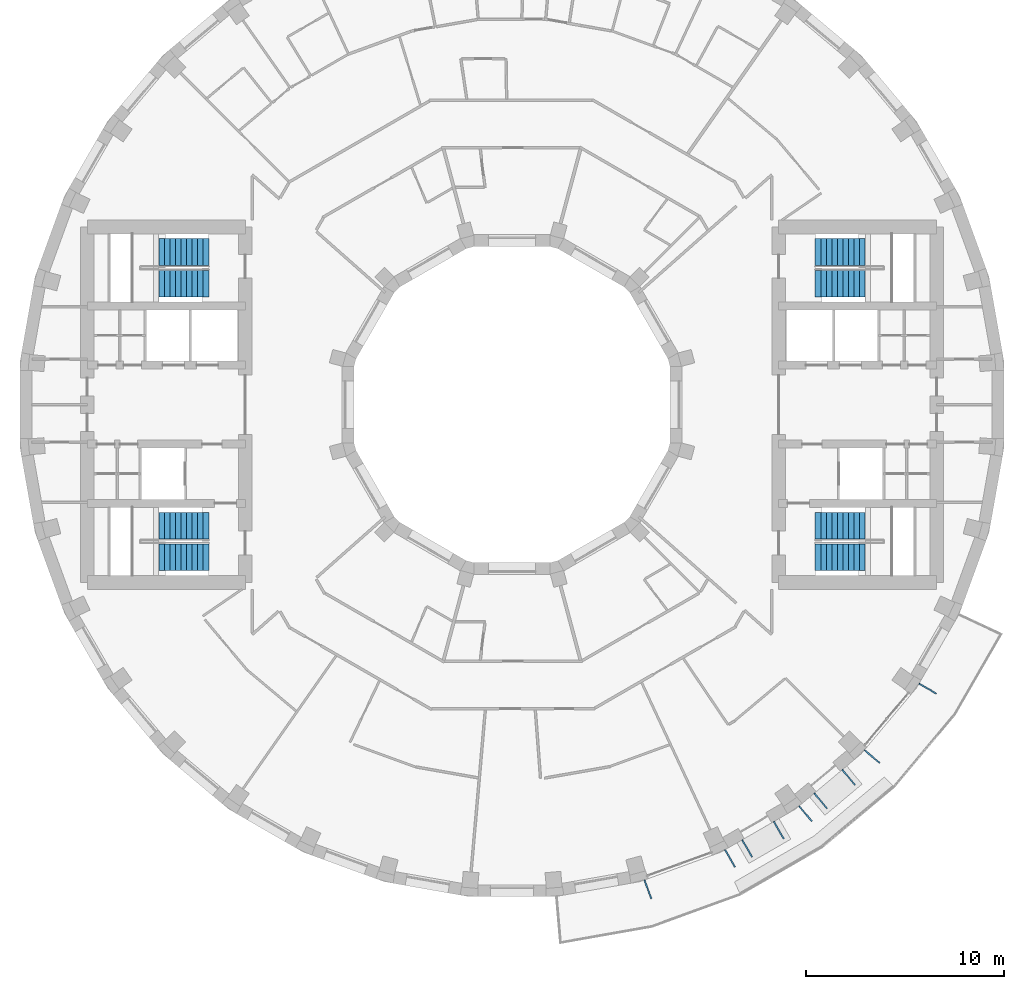
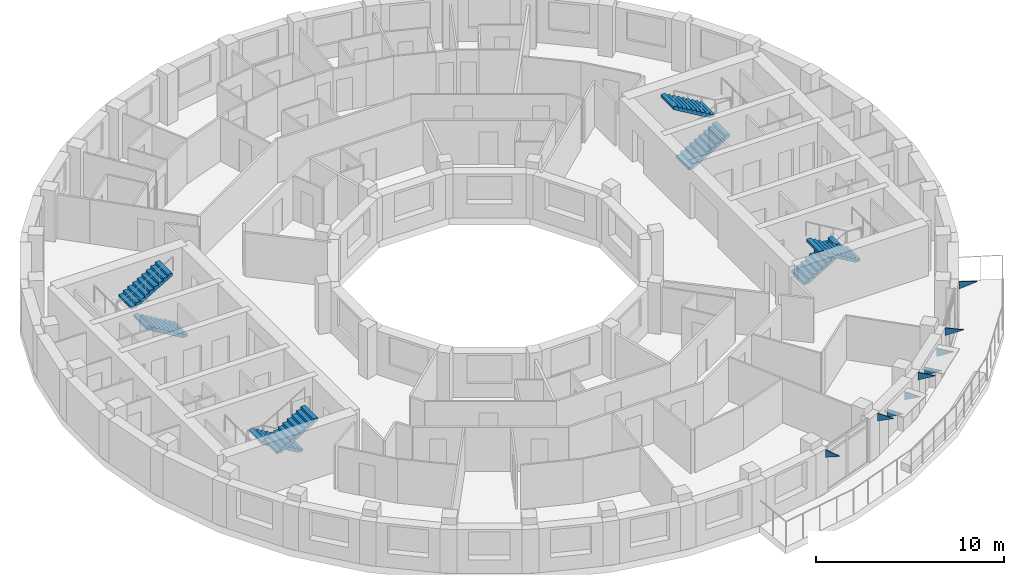
# One storey, part 14 of 15: 9 discrete accessories, 8 stair flights, 4 elements without a shape of their own.
"""IFC4 building model written with IfcOpenShell, lengths in metres."""

from ifc_helpers import new_model, si_unit, direction, frame, origin, place, context, subcontext, project, spatial, polyline, outline, extrude, material, layer, layer_set, type_object, element, aggregate, save


model = new_model("IFC4")

# Units and contexts
model_context = context("Model", 3, precision=1e-05, world=origin(), true_north=direction((0.0, 1.0)))
body_context = subcontext(model_context, "Body", "Model", "MODEL_VIEW")
ifc_project = project(units=[si_unit("LENGTHUNIT", "METRE"), si_unit("AREAUNIT", "SQUARE_METRE"), si_unit("VOLUMEUNIT", "CUBIC_METRE"), si_unit("PLANEANGLEUNIT", "RADIAN"), si_unit("MASSUNIT", "GRAM", prefix="KILO")], contexts=[model_context])

# Site, building, storey
site_placement = place(None, origin())
site = spatial("IfcSite", under=ifc_project, at=site_placement, CompositionType="ELEMENT")
building_placement = place(site_placement, origin())
building = spatial("IfcBuilding", under=site, at=building_placement, Name="Saqina Gate Tower", CompositionType="ELEMENT")
storey_placement = place(building_placement, frame((0.0, 0.0, 160.800048828125)))
storey = spatial("IfcBuildingStorey", under=building, at=storey_placement, Name="L45", CompositionType="ELEMENT", Elevation=160.800048828125)

# Stair, stair flights
ifc_material_1 = material(Name="Concrete C40/50", Category="concrete")
stair_type = type_object("IfcStairType", Name="EXIT STAIR", PredefinedType="HALF_TURN_STAIR", material=ifc_material_1)
stair_1_placement = place(storey_placement, origin())
stair_1 = element("IfcStair", 1, at=stair_1_placement, inside=storey, type_object=stair_type, Name="EXIT STAIR 1", PredefinedType="HALF_TURN_STAIR")
ifc_material_2 = material(Name="Concrete C40/50", Category="concrete")
stair_flight_type = type_object("IfcStairFlightType", Name="EXIT STAIR FLIGHT", PredefinedType="STRAIGHT", material=ifc_material_2)
stair_flight_1_placement = place(storey_placement, frame((15.35009765625, 6.125, 0.0), z_axis=(0.0, 0.0, 1.0), x_axis=(1.0, 0.0, 0.0)))
stair_flight_1 = element("IfcStairFlight", 2, at=stair_flight_1_placement, type_object=stair_flight_type, Name="EXIT STAIR 1 FLIGHT 1", NumberOfRisers=10, NumberOfTreads=9, PredefinedType="STRAIGHT", RiserHeight=0.165, TreadLength=0.28, context=body_context, shape_type="SweptSolid", body=[
    extrude(outline(polyline([(0.0, 0.0), (0.0, 0.1650390625), (0.280029296875, 0.1650390625), (0.280029296875, 0.330078125), (0.56005859375, 0.330078125), (0.56005859375, 0.4951171875), (0.840087890625, 0.4951171875), (0.840087890625, 0.659912109375), (1.1201171875, 0.659912109375), (1.1201171875, 0.824951171875), (1.39990234375, 0.824951171875), (1.39990234375, 0.989990234375), (1.679931640625, 0.989990234375), (1.679931640625, 1.155029296875), (1.9599609375, 1.155029296875), (1.9599609375, 1.320068359375), (2.239990234375, 1.320068359375), (2.239990234375, 1.485107421875), (2.52001953125, 1.485107421875), (2.52001953125, 1.64990234375), (2.52001953125, 1.31103515625), (0.295166015625, 0.0), (0.0, 0.0)])), frame((0.0, 0.675048828125, 0.0), z_axis=(0.0, -1.0, 0.0), x_axis=(1.0, 0.0, 0.0)), (0.0, 0.0, 1.0), 1.35009765625),
])
stair_flight_2_placement = place(storey_placement, frame((17.8701171875, 7.72509765625, 1.64990234375), z_axis=(0.0, 0.0, 1.0), x_axis=(-1.0, 0.0, 0.0)))
stair_flight_2 = element("IfcStairFlight", 3, at=stair_flight_2_placement, type_object=stair_flight_type, Name="EXIT STAIR 1 FLIGHT 2", NumberOfRisers=10, NumberOfTreads=9, PredefinedType="STRAIGHT", RiserHeight=0.165, TreadLength=0.28, context=body_context, shape_type="SweptSolid", body=[
    extrude(outline(polyline([(0.0, 0.0), (0.0, 0.1650390625), (0.280029296875, 0.1650390625), (0.280029296875, 0.330078125), (0.56005859375, 0.330078125), (0.56005859375, 0.4951171875), (0.840087890625, 0.4951171875), (0.840087890625, 0.659912109375), (1.1201171875, 0.659912109375), (1.1201171875, 0.824951171875), (1.39990234375, 0.824951171875), (1.39990234375, 0.989990234375), (1.679931640625, 0.989990234375), (1.679931640625, 1.155029296875), (1.9599609375, 1.155029296875), (1.9599609375, 1.320068359375), (2.239990234375, 1.320068359375), (2.239990234375, 1.485107421875), (2.52001953125, 1.485107421875), (2.52001953125, 1.64990234375), (2.52001953125, 1.31103515625), (0.295166015625, 0.0), (0.0, 0.0)])), frame((0.0, 0.675048828125, 0.0), z_axis=(0.0, -1.0, 0.0), x_axis=(1.0, 0.0, 0.0)), (0.0, 0.0, 1.0), 1.35009765625),
])
aggregate(stair_1, [stair_flight_1, stair_flight_2])

stair_2_placement = place(storey_placement, origin())
stair_2 = element("IfcStair", 4, at=stair_2_placement, inside=storey, type_object=stair_type, Name="EXIT STAIR 2", PredefinedType="HALF_TURN_STAIR")
stair_flight_3_placement = place(storey_placement, frame((15.35009765625, -6.125, 0.0), z_axis=(0.0, 0.0, 1.0), x_axis=(1.0, 0.0, 0.0)))
stair_flight_3 = element("IfcStairFlight", 5, at=stair_flight_3_placement, type_object=stair_flight_type, Name="EXIT STAIR 2 FLIGHT 1", NumberOfRisers=10, NumberOfTreads=9, PredefinedType="STRAIGHT", RiserHeight=0.165, TreadLength=0.28, context=body_context, shape_type="SweptSolid", body=[
    extrude(outline(polyline([(0.0, 0.0), (0.0, 0.1650390625), (0.280029296875, 0.1650390625), (0.280029296875, 0.330078125), (0.56005859375, 0.330078125), (0.56005859375, 0.4951171875), (0.840087890625, 0.4951171875), (0.840087890625, 0.659912109375), (1.1201171875, 0.659912109375), (1.1201171875, 0.824951171875), (1.39990234375, 0.824951171875), (1.39990234375, 0.989990234375), (1.679931640625, 0.989990234375), (1.679931640625, 1.155029296875), (1.9599609375, 1.155029296875), (1.9599609375, 1.320068359375), (2.239990234375, 1.320068359375), (2.239990234375, 1.485107421875), (2.52001953125, 1.485107421875), (2.52001953125, 1.64990234375), (2.52001953125, 1.31103515625), (0.295166015625, 0.0), (0.0, 0.0)])), frame((0.0, 0.675048828125, 0.0), z_axis=(0.0, -1.0, 0.0), x_axis=(1.0, 0.0, 0.0)), (0.0, 0.0, 1.0), 1.35009765625),
])
stair_flight_4_placement = place(storey_placement, frame((17.8701171875, -7.72509765625, 1.64990234375), z_axis=(0.0, 0.0, 1.0), x_axis=(-1.0, 0.0, 0.0)))
stair_flight_4 = element("IfcStairFlight", 6, at=stair_flight_4_placement, type_object=stair_flight_type, Name="EXIT STAIR 2 FLIGHT 2", NumberOfRisers=10, NumberOfTreads=9, PredefinedType="STRAIGHT", RiserHeight=0.165, TreadLength=0.28, context=body_context, shape_type="SweptSolid", body=[
    extrude(outline(polyline([(0.0, 0.0), (0.0, 0.1650390625), (0.280029296875, 0.1650390625), (0.280029296875, 0.330078125), (0.56005859375, 0.330078125), (0.56005859375, 0.4951171875), (0.840087890625, 0.4951171875), (0.840087890625, 0.659912109375), (1.1201171875, 0.659912109375), (1.1201171875, 0.824951171875), (1.39990234375, 0.824951171875), (1.39990234375, 0.989990234375), (1.679931640625, 0.989990234375), (1.679931640625, 1.155029296875), (1.9599609375, 1.155029296875), (1.9599609375, 1.320068359375), (2.239990234375, 1.320068359375), (2.239990234375, 1.485107421875), (2.52001953125, 1.485107421875), (2.52001953125, 1.64990234375), (2.52001953125, 1.31103515625), (0.295166015625, 0.0), (0.0, 0.0)])), frame((0.0, 0.675048828125, 0.0), z_axis=(0.0, -1.0, 0.0), x_axis=(1.0, 0.0, 0.0)), (0.0, 0.0, 1.0), 1.35009765625),
])
aggregate(stair_2, [stair_flight_3, stair_flight_4])

stair_3_placement = place(storey_placement, origin())
stair_3 = element("IfcStair", 7, at=stair_3_placement, inside=storey, type_object=stair_type, Name="EXIT STAIR 3", PredefinedType="HALF_TURN_STAIR")
stair_flight_5_placement = place(storey_placement, frame((-15.35009765625, 6.125, 0.0), z_axis=(0.0, 0.0, 1.0), x_axis=(-1.0, 0.0, 0.0)))
stair_flight_5 = element("IfcStairFlight", 8, at=stair_flight_5_placement, type_object=stair_flight_type, Name="EXIT STAIR 3 FLIGHT 1", NumberOfRisers=10, NumberOfTreads=9, PredefinedType="STRAIGHT", RiserHeight=0.165, TreadLength=0.28, context=body_context, shape_type="SweptSolid", body=[
    extrude(outline(polyline([(0.0, 0.0), (0.0, 0.1650390625), (0.280029296875, 0.1650390625), (0.280029296875, 0.330078125), (0.56005859375, 0.330078125), (0.56005859375, 0.4951171875), (0.840087890625, 0.4951171875), (0.840087890625, 0.659912109375), (1.1201171875, 0.659912109375), (1.1201171875, 0.824951171875), (1.39990234375, 0.824951171875), (1.39990234375, 0.989990234375), (1.679931640625, 0.989990234375), (1.679931640625, 1.155029296875), (1.9599609375, 1.155029296875), (1.9599609375, 1.320068359375), (2.239990234375, 1.320068359375), (2.239990234375, 1.485107421875), (2.52001953125, 1.485107421875), (2.52001953125, 1.64990234375), (2.52001953125, 1.31103515625), (0.295166015625, 0.0), (0.0, 0.0)])), frame((0.0, 0.675048828125, 0.0), z_axis=(0.0, -1.0, 0.0), x_axis=(1.0, 0.0, 0.0)), (0.0, 0.0, 1.0), 1.35009765625),
])
stair_flight_6_placement = place(storey_placement, frame((-17.8701171875, 7.72509765625, 1.64990234375), z_axis=(0.0, 0.0, 1.0), x_axis=(1.0, 0.0, 0.0)))
stair_flight_6 = element("IfcStairFlight", 9, at=stair_flight_6_placement, type_object=stair_flight_type, Name="EXIT STAIR 3 FLIGHT 2", NumberOfRisers=10, NumberOfTreads=9, PredefinedType="STRAIGHT", RiserHeight=0.165, TreadLength=0.28, context=body_context, shape_type="SweptSolid", body=[
    extrude(outline(polyline([(0.0, 0.0), (0.0, 0.1650390625), (0.280029296875, 0.1650390625), (0.280029296875, 0.330078125), (0.56005859375, 0.330078125), (0.56005859375, 0.4951171875), (0.840087890625, 0.4951171875), (0.840087890625, 0.659912109375), (1.1201171875, 0.659912109375), (1.1201171875, 0.824951171875), (1.39990234375, 0.824951171875), (1.39990234375, 0.989990234375), (1.679931640625, 0.989990234375), (1.679931640625, 1.155029296875), (1.9599609375, 1.155029296875), (1.9599609375, 1.320068359375), (2.239990234375, 1.320068359375), (2.239990234375, 1.485107421875), (2.52001953125, 1.485107421875), (2.52001953125, 1.64990234375), (2.52001953125, 1.31103515625), (0.295166015625, 0.0), (0.0, 0.0)])), frame((0.0, 0.675048828125, 0.0), z_axis=(0.0, -1.0, 0.0), x_axis=(1.0, 0.0, 0.0)), (0.0, 0.0, 1.0), 1.35009765625),
])
aggregate(stair_3, [stair_flight_5, stair_flight_6])

stair_4_placement = place(storey_placement, origin())
stair_4 = element("IfcStair", 10, at=stair_4_placement, inside=storey, type_object=stair_type, Name="EXIT STAIR 4", PredefinedType="HALF_TURN_STAIR")
stair_flight_7_placement = place(storey_placement, frame((-15.35009765625, -6.125, 0.0), z_axis=(0.0, 0.0, 1.0), x_axis=(-1.0, 0.0, 0.0)))
stair_flight_7 = element("IfcStairFlight", 11, at=stair_flight_7_placement, type_object=stair_flight_type, Name="EXIT STAIR 4 FLIGHT 1", NumberOfRisers=10, NumberOfTreads=9, PredefinedType="STRAIGHT", RiserHeight=0.165, TreadLength=0.28, context=body_context, shape_type="SweptSolid", body=[
    extrude(outline(polyline([(0.0, 0.0), (0.0, 0.1650390625), (0.280029296875, 0.1650390625), (0.280029296875, 0.330078125), (0.56005859375, 0.330078125), (0.56005859375, 0.4951171875), (0.840087890625, 0.4951171875), (0.840087890625, 0.659912109375), (1.1201171875, 0.659912109375), (1.1201171875, 0.824951171875), (1.39990234375, 0.824951171875), (1.39990234375, 0.989990234375), (1.679931640625, 0.989990234375), (1.679931640625, 1.155029296875), (1.9599609375, 1.155029296875), (1.9599609375, 1.320068359375), (2.239990234375, 1.320068359375), (2.239990234375, 1.485107421875), (2.52001953125, 1.485107421875), (2.52001953125, 1.64990234375), (2.52001953125, 1.31103515625), (0.295166015625, 0.0), (0.0, 0.0)])), frame((0.0, 0.675048828125, 0.0), z_axis=(0.0, -1.0, 0.0), x_axis=(1.0, 0.0, 0.0)), (0.0, 0.0, 1.0), 1.35009765625),
])
stair_flight_8_placement = place(storey_placement, frame((-17.8701171875, -7.72509765625, 1.64990234375), z_axis=(0.0, 0.0, 1.0), x_axis=(1.0, 0.0, 0.0)))
stair_flight_8 = element("IfcStairFlight", 12, at=stair_flight_8_placement, type_object=stair_flight_type, Name="EXIT STAIR 4 FLIGHT 2", NumberOfRisers=10, NumberOfTreads=9, PredefinedType="STRAIGHT", RiserHeight=0.165, TreadLength=0.28, context=body_context, shape_type="SweptSolid", body=[
    extrude(outline(polyline([(0.0, 0.0), (0.0, 0.1650390625), (0.280029296875, 0.1650390625), (0.280029296875, 0.330078125), (0.56005859375, 0.330078125), (0.56005859375, 0.4951171875), (0.840087890625, 0.4951171875), (0.840087890625, 0.659912109375), (1.1201171875, 0.659912109375), (1.1201171875, 0.824951171875), (1.39990234375, 0.824951171875), (1.39990234375, 0.989990234375), (1.679931640625, 0.989990234375), (1.679931640625, 1.155029296875), (1.9599609375, 1.155029296875), (1.9599609375, 1.320068359375), (2.239990234375, 1.320068359375), (2.239990234375, 1.485107421875), (2.52001953125, 1.485107421875), (2.52001953125, 1.64990234375), (2.52001953125, 1.31103515625), (0.295166015625, 0.0), (0.0, 0.0)])), frame((0.0, 0.675048828125, 0.0), z_axis=(0.0, -1.0, 0.0), x_axis=(1.0, 0.0, 0.0)), (0.0, 0.0, 1.0), 1.35009765625),
])
aggregate(stair_4, [stair_flight_7, stair_flight_8])

# Discrete accessories
ifc_material_3 = material(Name="Galvanised steel", Category="steel")
ifc_layer_1 = layer(ifc_material_3, 0.050048828125)
ifc_layer_set_1 = layer_set([ifc_layer_1], Name="BR-AWNING")
discrete_accessory_type_1 = type_object("IfcDiscreteAccessoryType", Name="BR-AWNING", PredefinedType="BRACKET", material=ifc_layer_set_1)
for number, where, z_axis, x_axis, name in (
    (13, (11.673095703125, -22.018310546875, 1.974853515625), (0.866010750942, 0.50002537861, 0.0), (0.0, 0.0, 1.0), "Awning bracket L45 facet 30"),
    (14, (13.27490234375, -21.09326171875, 1.974853515625), (0.866010750942, 0.50002537861, 0.0), (0.0, 0.0, 1.0), "Awning bracket L45 facet 30"),
):
    element("IfcDiscreteAccessory", number, at=place(storey_placement, frame(where, z_axis=z_axis, x_axis=x_axis)), inside=storey, type_object=discrete_accessory_type_1, Name=name, PredefinedType="BRACKET", context=body_context, shape_type="SweptSolid", body=[
        extrude(outline(polyline([(0.0, 0.0), (0.550048828125, 0.0), (0.550048828125, 0.9999492453569568), (0.0, 0.0)])), origin(), (0.0, 0.0, -1.0), 0.050048828125),
    ])
for number, where, z_axis, x_axis, name in (
    (15, (15.319091796875, -19.65673828125, 1.974853515625), (0.765954930181, 0.642894271969, 0.0), (0.0, 0.0, 1.0), "Awning bracket L45 facet 31"),
    (16, (16.736083984375, -18.4677734375, 1.974853515625), (0.765954930181, 0.642894271969, 0.0), (0.0, 0.0, 1.0), "Awning bracket L45 facet 31"),
):
    element("IfcDiscreteAccessory", number, at=place(storey_placement, frame(where, z_axis=z_axis, x_axis=x_axis)), inside=storey, type_object=discrete_accessory_type_1, Name=name, PredefinedType="BRACKET", context=body_context, shape_type="SweptSolid", body=[
        extrude(outline(polyline([(0.0, 0.0), (0.550048828125, 0.0), (0.550048828125, 0.9998879966000863), (0.0, 0.0)])), origin(), (0.0, 0.0, -1.0), 0.050048828125),
    ])
ifc_material_4 = material(Name="Galvanised steel", Category="steel")
ifc_layer_2 = layer(ifc_material_4, 0.050048828125)
ifc_layer_set_2 = layer_set([ifc_layer_2], Name="BR-GUSSET")
discrete_accessory_type_2 = type_object("IfcDiscreteAccessoryType", Name="BR-GUSSET", PredefinedType="BRACKET", material=ifc_layer_set_2)
discrete_accessory_1_placement = place(storey_placement, frame((6.72900390625, -24.05419921875, 2.349853515625), z_axis=(0.939764905391, 0.341821477669, 0.0), x_axis=(0.0, 0.0, 1.0)))
element("IfcDiscreteAccessory", 17, at=discrete_accessory_1_placement, inside=storey, type_object=discrete_accessory_type_2, Name="Terrace slab bracket L46 1", PredefinedType="BRACKET", context=body_context, shape_type="SweptSolid", body=[
    extrude(outline(polyline([(0.0, 0.0), (0.5, 0.0), (0.5, 0.999928024801219), (0.0, 0.0)])), origin(), (0.0, 0.0, -1.0), 0.050048828125),
])
discrete_accessory_2_placement = place(storey_placement, frame((10.8037109375, -22.520263671875, 2.349853515625), z_axis=(0.866010750942, 0.50002537861, 0.0), x_axis=(0.0, 0.0, 1.0)))
element("IfcDiscreteAccessory", 18, at=discrete_accessory_2_placement, inside=storey, type_object=discrete_accessory_type_2, Name="Terrace slab bracket L46 2", PredefinedType="BRACKET", context=body_context, shape_type="SweptSolid", body=[
    extrude(outline(polyline([(0.0, 0.0), (0.5, 0.0), (0.5, 0.9999492453569568), (0.0, 0.0)])), origin(), (0.0, 0.0, -1.0), 0.050048828125),
])
for number, where, z_axis, x_axis, name in (
    (19, (14.550048828125, -20.302001953125, 2.349853515625), (0.766055819685, 0.64277405138, 0.0), (0.0, 0.0, 1.0), "Terrace slab bracket L46 3"),
    (20, (17.8544921875, -17.467041015625, 2.349853515625), (0.64277405138, 0.766055819685, 0.0), (0.0, 0.0, 1.0), "Terrace slab bracket L46 4"),
):
    element("IfcDiscreteAccessory", number, at=place(storey_placement, frame(where, z_axis=z_axis, x_axis=x_axis)), inside=storey, type_object=discrete_accessory_type_2, Name=name, PredefinedType="BRACKET", context=body_context, shape_type="SweptSolid", body=[
        extrude(outline(polyline([(0.0, 0.0), (0.5, 0.0), (0.5, 1.0000750096322275), (0.0, 0.0)])), origin(), (0.0, 0.0, -1.0), 0.050048828125),
    ])
discrete_accessory_3_placement = place(storey_placement, frame((20.6162109375, -14.101318359375, 2.349853515625), z_axis=(0.499919672301, 0.866071776036, 0.0), x_axis=(0.0, 0.0, 1.0)))
element("IfcDiscreteAccessory", 21, at=discrete_accessory_3_placement, inside=storey, type_object=discrete_accessory_type_2, Name="Terrace slab bracket L46 5", PredefinedType="BRACKET", context=body_context, shape_type="SweptSolid", body=[
    extrude(outline(polyline([(0.0, 0.0), (0.5, 0.0), (0.5, 1.0001606812130883), (0.0, 0.0)])), origin(), (0.0, 0.0, -1.0), 0.050048828125),
])

save(model, "model.ifc")
